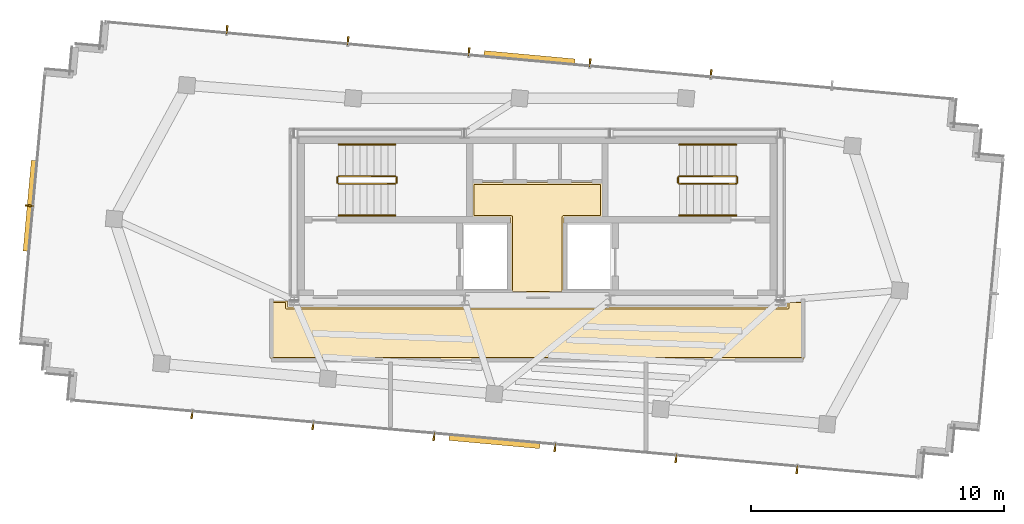
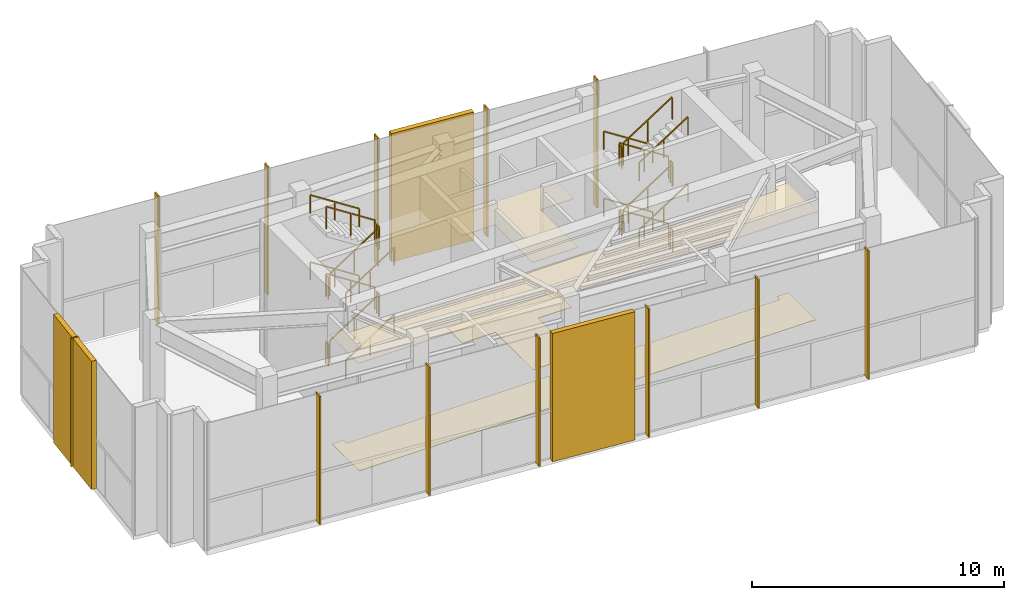
# One storey, part 18 of 19: 24 railings, 15 shading devices, 4 coverings.
"""IFC4 building model written with IfcOpenShell, lengths in metres."""

from ifc_helpers import new_model, si_unit, direction, frame, origin, origin_2d, place, context, subcontext, project, spatial, polyline, rectangle, outline, extrude, source, transform, mapped, material, layer, layer_set, type_object, type_shapes, element, save


model = new_model("IFC4")

# Units and contexts
model_context = context("Model", 3, precision=1e-05, world=origin(), true_north=direction((0.0, 1.0)))
body_context = subcontext(model_context, "Body", "Model", "MODEL_VIEW")
ifc_project = project(units=[si_unit("LENGTHUNIT", "METRE"), si_unit("AREAUNIT", "SQUARE_METRE"), si_unit("VOLUMEUNIT", "CUBIC_METRE"), si_unit("PLANEANGLEUNIT", "RADIAN"), si_unit("MASSUNIT", "GRAM", prefix="KILO")], contexts=[model_context])

# Site, building, storey
site_placement = place(None, origin())
site = spatial("IfcSite", under=ifc_project, at=site_placement, CompositionType="ELEMENT")
building_placement = place(site_placement, origin())
building = spatial("IfcBuilding", under=site, at=building_placement, Name="Astriad Promenade Condominiums", CompositionType="ELEMENT")
storey_placement = place(building_placement, frame((0.0, 0.0, 283.800048828125)))
storey = spatial("IfcBuildingStorey", under=building, at=storey_placement, Name="L79", CompositionType="ELEMENT", Elevation=283.800048828125)

# Coverings
ifc_material_1 = material(Name="Mineral-Fibre Acoustic Ceiling Tile")
ifc_layer_1 = layer(ifc_material_1, 0.02490234375)
ifc_layer_set_1 = layer_set([ifc_layer_1], Name="Mineral-Fibre Acoustic Ceiling Tile")
covering_type_1 = type_object("IfcCoveringType", Name="COV-CEIL-ACOUSTIC-25", PredefinedType="CEILING", material=ifc_layer_set_1)
covering_1_placement = place(storey_placement, frame((0.0, 0.0, 5.27490234375)))
element("IfcCovering", 1, at=covering_1_placement, inside=storey, type_object=covering_type_1, Name="CEIL-L79-CSL", PredefinedType="CEILING", context=body_context, shape_type="SweptSolid", body=[
    extrude(outline(polyline([(37.050048828125, 17.699951171875), (37.0498046875, 17.697021484375), (37.04931640625, 17.694091796875), (37.048583984375, 17.69140625), (37.047607421875, 17.6884765625), (37.04638671875, 17.685791015625), (37.044921875, 17.683349609375), (37.043212890625, 17.680908203125), (37.041259765625, 17.6787109375), (37.0390625, 17.6767578125), (37.03662109375, 17.675048828125), (37.0341796875, 17.673583984375), (37.031494140625, 17.67236328125), (37.02880859375, 17.67138671875), (37.02587890625, 17.670654296875), (37.02294921875, 17.670166015625), (37.02001953125, 17.669921875), (34.97998046875, 17.669921875), (34.97705078125, 17.670166015625), (34.97412109375, 17.670654296875), (34.97119140625, 17.67138671875), (34.968505859375, 17.67236328125), (34.9658203125, 17.673583984375), (34.96337890625, 17.675048828125), (34.9609375, 17.6767578125), (34.958740234375, 17.6787109375), (34.956787109375, 17.680908203125), (34.955078125, 17.683349609375), (34.95361328125, 17.685791015625), (34.952392578125, 17.6884765625), (34.951416015625, 17.69140625), (34.95068359375, 17.694091796875), (34.9501953125, 17.697021484375), (34.949951171875, 17.699951171875), (34.949951171875, 20.669921875), (33.4599609375, 20.669921875), (33.45703125, 20.670166015625), (33.4541015625, 20.670654296875), (33.451416015625, 20.67138671875), (33.448486328125, 20.67236328125), (33.44580078125, 20.673583984375), (33.443359375, 20.675048828125), (33.44091796875, 20.6767578125), (33.438720703125, 20.6787109375), (33.436767578125, 20.680908203125), (33.43505859375, 20.683349609375), (33.43359375, 20.685791015625), (33.432373046875, 20.6884765625), (33.431396484375, 20.69140625), (33.4306640625, 20.694091796875), (33.43017578125, 20.697021484375), (33.429931640625, 20.699951171875), (33.429931640625, 22.02001953125), (33.43017578125, 22.02294921875), (33.4306640625, 22.02587890625), (33.431396484375, 22.02880859375), (33.432373046875, 22.031494140625), (33.43359375, 22.0341796875), (33.43505859375, 22.03662109375), (33.436767578125, 22.0390625), (33.438720703125, 22.041259765625), (33.44091796875, 22.043212890625), (33.443359375, 22.044921875), (33.44580078125, 22.04638671875), (33.448486328125, 22.047607421875), (33.451416015625, 22.048583984375), (33.4541015625, 22.04931640625), (33.45703125, 22.0498046875), (33.4599609375, 22.050048828125), (38.5400390625, 22.050048828125), (38.54296875, 22.0498046875), (38.5458984375, 22.04931640625), (38.548583984375, 22.048583984375), (38.551513671875, 22.047607421875), (38.55419921875, 22.04638671875), (38.556640625, 22.044921875), (38.55908203125, 22.043212890625), (38.561279296875, 22.041259765625), (38.563232421875, 22.0390625), (38.56494140625, 22.03662109375), (38.56640625, 22.0341796875), (38.567626953125, 22.031494140625), (38.568603515625, 22.02880859375), (38.5693359375, 22.02587890625), (38.56982421875, 22.02294921875), (38.570068359375, 22.02001953125), (38.570068359375, 20.699951171875), (38.56982421875, 20.697021484375), (38.5693359375, 20.694091796875), (38.568603515625, 20.69140625), (38.567626953125, 20.6884765625), (38.56640625, 20.685791015625), (38.56494140625, 20.683349609375), (38.563232421875, 20.680908203125), (38.561279296875, 20.6787109375), (38.55908203125, 20.6767578125), (38.556640625, 20.675048828125), (38.55419921875, 20.673583984375), (38.551513671875, 20.67236328125), (38.548583984375, 20.67138671875), (38.5458984375, 20.670654296875), (38.54296875, 20.670166015625), (38.5400390625, 20.669921875), (37.050048828125, 20.669921875), (37.050048828125, 17.699951171875)])), origin(), (0.0, 0.0, 1.0), 0.025146484375),
])
covering_2_placement = place(storey_placement, frame((0.0, 0.0, 5.27490234375)))
element("IfcCovering", 2, at=covering_2_placement, inside=storey, type_object=covering_type_1, Name="CEIL-L79-COR", PredefinedType="CEILING", context=body_context, shape_type="SweptSolid", body=[
    extrude(outline(polyline([(26.1298828125, 17.1298828125), (45.8701171875, 17.1298828125), (45.8701171875, 17.35009765625), (45.8701171875, 17.352783203125), (45.87060546875, 17.35595703125), (45.871337890625, 17.358642578125), (45.872314453125, 17.361572265625), (45.87353515625, 17.364013671875), (45.875, 17.36669921875), (45.876708984375, 17.368896484375), (45.87890625, 17.37109375), (45.881103515625, 17.373291015625), (45.88330078125, 17.375), (45.885986328125, 17.37646484375), (45.888427734375, 17.377685546875), (45.891357421875, 17.378662109375), (45.89404296875, 17.37939453125), (45.897216796875, 17.3798828125), (45.89990234375, 17.3798828125), (46.5, 17.3798828125), (46.5029296875, 17.3798828125), (46.505859375, 17.37939453125), (46.5087890625, 17.378662109375), (46.511474609375, 17.377685546875), (46.51416015625, 17.37646484375), (46.5166015625, 17.375), (46.51904296875, 17.373291015625), (46.521240234375, 17.37109375), (46.523193359375, 17.368896484375), (46.52490234375, 17.36669921875), (46.526611328125, 17.364013671875), (46.527587890625, 17.361572265625), (46.52880859375, 17.358642578125), (46.529296875, 17.35595703125), (46.52978515625, 17.352783203125), (46.530029296875, 17.35009765625), (46.530029296875, 15.10009765625), (46.52978515625, 15.09716796875), (46.529296875, 15.093994140625), (46.52880859375, 15.09130859375), (46.527587890625, 15.08837890625), (46.526611328125, 15.0859375), (46.52490234375, 15.083251953125), (46.523193359375, 15.0810546875), (46.521240234375, 15.078857421875), (46.51904296875, 15.076904296875), (46.5166015625, 15.0751953125), (46.51416015625, 15.073486328125), (46.511474609375, 15.072265625), (46.5087890625, 15.0712890625), (46.505859375, 15.070556640625), (46.5029296875, 15.070068359375), (46.5, 15.070068359375), (25.5, 15.070068359375), (25.4970703125, 15.070068359375), (25.494140625, 15.070556640625), (25.4912109375, 15.0712890625), (25.488525390625, 15.072265625), (25.48583984375, 15.073486328125), (25.4833984375, 15.0751953125), (25.48095703125, 15.076904296875), (25.478759765625, 15.078857421875), (25.476806640625, 15.0810546875), (25.47509765625, 15.083251953125), (25.473388671875, 15.0859375), (25.472412109375, 15.08837890625), (25.47119140625, 15.09130859375), (25.470703125, 15.093994140625), (25.47021484375, 15.09716796875), (25.469970703125, 15.10009765625), (25.469970703125, 17.35009765625), (25.47021484375, 17.352783203125), (25.470703125, 17.35595703125), (25.47119140625, 17.358642578125), (25.472412109375, 17.361572265625), (25.473388671875, 17.364013671875), (25.47509765625, 17.36669921875), (25.476806640625, 17.368896484375), (25.478759765625, 17.37109375), (25.48095703125, 17.373291015625), (25.4833984375, 17.375), (25.48583984375, 17.37646484375), (25.488525390625, 17.377685546875), (25.4912109375, 17.378662109375), (25.494140625, 17.37939453125), (25.4970703125, 17.3798828125), (25.5, 17.3798828125), (26.10009765625, 17.3798828125), (26.102783203125, 17.3798828125), (26.10595703125, 17.37939453125), (26.108642578125, 17.378662109375), (26.111572265625, 17.377685546875), (26.114013671875, 17.37646484375), (26.11669921875, 17.375), (26.118896484375, 17.373291015625), (26.12109375, 17.37109375), (26.123291015625, 17.368896484375), (26.125, 17.36669921875), (26.12646484375, 17.364013671875), (26.127685546875, 17.361572265625), (26.128662109375, 17.358642578125), (26.12939453125, 17.35595703125), (26.1298828125, 17.352783203125), (26.1298828125, 17.35009765625), (26.1298828125, 17.1298828125)])), origin(), (0.0, 0.0, 1.0), 0.025146484375),
])
ifc_material_2 = material(Name="Polished Lakefront Terrazzo Flooring")
ifc_layer_2 = layer(ifc_material_2, 0.02001953125)
ifc_layer_set_2 = layer_set([ifc_layer_2], Name="Polished Lakefront Terrazzo Flooring")
covering_type_2 = type_object("IfcCoveringType", Name="COV-FLOR-TERRAZZO-20", PredefinedType="FLOORING", material=ifc_layer_set_2)
covering_3_placement = place(storey_placement, origin())
element("IfcCovering", 3, at=covering_3_placement, inside=storey, type_object=covering_type_2, Name="FLR-L79-CSL", PredefinedType="FLOORING", context=body_context, shape_type="SweptSolid", body=[
    extrude(outline(polyline([(36.97998046875, 20.699951171875), (36.97998046875, 17.739990234375), (35.02001953125, 17.739990234375), (35.02001953125, 20.699951171875), (35.019775390625, 20.703857421875), (35.019287109375, 20.707763671875), (35.018310546875, 20.711669921875), (35.01708984375, 20.71533203125), (35.015380859375, 20.718994140625), (35.01318359375, 20.72216796875), (35.010986328125, 20.725341796875), (35.00830078125, 20.728271484375), (35.00537109375, 20.73095703125), (35.002197265625, 20.7333984375), (34.998779296875, 20.7353515625), (34.995361328125, 20.737060546875), (34.99169921875, 20.73828125), (34.98779296875, 20.7392578125), (34.98388671875, 20.73974609375), (34.97998046875, 20.739990234375), (33.5, 20.739990234375), (33.5, 21.97998046875), (38.5, 21.97998046875), (38.5, 20.739990234375), (37.02001953125, 20.739990234375), (37.01611328125, 20.73974609375), (37.01220703125, 20.7392578125), (37.00830078125, 20.73828125), (37.004638671875, 20.737060546875), (37.001220703125, 20.7353515625), (36.997802734375, 20.7333984375), (36.99462890625, 20.73095703125), (36.99169921875, 20.728271484375), (36.989013671875, 20.725341796875), (36.98681640625, 20.72216796875), (36.984619140625, 20.718994140625), (36.98291015625, 20.71533203125), (36.981689453125, 20.711669921875), (36.980712890625, 20.707763671875), (36.980224609375, 20.703857421875), (36.97998046875, 20.699951171875)])), origin(), (0.0, 0.0, 1.0), 0.02001953125),
])
covering_4_placement = place(storey_placement, origin())
element("IfcCovering", 4, at=covering_4_placement, inside=storey, type_object=covering_type_2, Name="FLR-L79-COR", PredefinedType="FLOORING", context=body_context, shape_type="SweptSolid", body=[
    extrude(outline(polyline([(26.06005859375, 17.31005859375), (26.06005859375, 17.10009765625), (26.060302734375, 17.09619140625), (26.060791015625, 17.09228515625), (26.061767578125, 17.08837890625), (26.06298828125, 17.084716796875), (26.064697265625, 17.0810546875), (26.066650390625, 17.077880859375), (26.069091796875, 17.07470703125), (26.07177734375, 17.07177734375), (26.07470703125, 17.069091796875), (26.077880859375, 17.066650390625), (26.0810546875, 17.064697265625), (26.084716796875, 17.06298828125), (26.08837890625, 17.061767578125), (26.09228515625, 17.060791015625), (26.09619140625, 17.060302734375), (26.10009765625, 17.06005859375), (45.89990234375, 17.06005859375), (45.90380859375, 17.060302734375), (45.90771484375, 17.060791015625), (45.91162109375, 17.061767578125), (45.915283203125, 17.06298828125), (45.9189453125, 17.064697265625), (45.922119140625, 17.066650390625), (45.92529296875, 17.069091796875), (45.92822265625, 17.07177734375), (45.930908203125, 17.07470703125), (45.933349609375, 17.077880859375), (45.935302734375, 17.0810546875), (45.93701171875, 17.084716796875), (45.938232421875, 17.08837890625), (45.939208984375, 17.09228515625), (45.939697265625, 17.09619140625), (45.93994140625, 17.10009765625), (45.93994140625, 17.31005859375), (46.4599609375, 17.31005859375), (46.4599609375, 15.139892578125), (25.5400390625, 15.139892578125), (25.5400390625, 17.31005859375), (26.06005859375, 17.31005859375)])), origin(), (0.0, 0.0, 1.0), 0.02001953125),
])

# Shading devices
ifc_material_3 = material(Name="Anodised aluminium 6063-T6 Black Fin", Category="aluminium")
shading_device_type_1 = type_object("IfcShadingDeviceType", Name="FIN-BLACK-260", PredefinedType="USERDEFINED", material=ifc_material_3)
shared_shape_1 = source(origin(), body_context, "Body", "SweptSolid", [
    extrude(rectangle(XDim=0.06494140625, YDim=0.320068359375, at=origin_2d()), origin(), (0.0, 0.0, 1.0), 6.219970703125),
])
type_shapes(shading_device_type_1, [shared_shape_1])
for number, where, z_axis, x_axis, name in (
    (5, (15.938720703125, 21.134765625, 0.0), (0.0, 0.0, 1.0), (0.090632580198, 0.995884398616, 0.0), "CW-CRN-L79-03-FIN-01"),
    (6, (23.74169921875, 28.09619140625, 0.0), (0.0, 0.0, 1.0), (0.995884398616, -0.090632580198, 0.0), "CW-CRN-L79-08-FIN-01"),
    (7, (28.522216796875, 27.6611328125, 0.0), (0.0, 0.0, 1.0), (0.995884398616, -0.090632580198, 0.0), "CW-CRN-L79-08-FIN-02"),
    (8, (33.30224609375, 27.22607421875, 0.0), (0.0, 0.0, 1.0), (0.995884398616, -0.090632580198, 0.0), "CW-CRN-L79-08-FIN-03"),
    (9, (38.08251953125, 26.791015625, 0.0), (0.0, 0.0, 1.0), (0.995884398616, -0.090632580198, 0.0), "CW-CRN-L79-08-FIN-04"),
    (10, (42.86279296875, 26.35595703125, 0.0), (0.0, 0.0, 1.0), (0.995884398616, -0.090632580198, 0.0), "CW-CRN-L79-08-FIN-05"),
    (11, (46.25830078125, 10.703857421875, 0.0), (0.0, 0.0, 1.0), (-0.995884398616, 0.090632580198, 0.0), "CW-CRN-L79-18-FIN-01"),
    (12, (41.477783203125, 11.138916015625, 0.0), (0.0, 0.0, 1.0), (-0.995884398616, 0.090632580198, 0.0), "CW-CRN-L79-18-FIN-02"),
    (13, (36.69775390625, 11.573974609375, 0.0), (0.0, 0.0, 1.0), (-0.995884398616, 0.090632580198, 0.0), "CW-CRN-L79-18-FIN-03"),
    (14, (31.91748046875, 12.009033203125, 0.0), (0.0, 0.0, 1.0), (-0.995884398616, 0.090632580198, 0.0), "CW-CRN-L79-18-FIN-04"),
    (15, (27.13720703125, 12.444091796875, 0.0), (0.0, 0.0, 1.0), (-0.995884398616, 0.090632580198, 0.0), "CW-CRN-L79-18-FIN-05"),
    (16, (22.35693359375, 12.879150390625, 0.0), (0.0, 0.0, 1.0), (-0.995884398616, 0.090632580198, 0.0), "CW-CRN-L79-18-FIN-06"),
):
    element("IfcShadingDevice", number, at=place(storey_placement, frame(where, z_axis=z_axis, x_axis=x_axis)), inside=storey, type_object=shading_device_type_1, Name=name, ObjectType="FIN", PredefinedType="USERDEFINED", context=body_context, shape_type="MappedRepresentation", body=[
        mapped(shared_shape_1, transform((0.0, 0.0, 0.0), scale=1.0)),
    ])
ifc_material_4 = material(Name="Anodised aluminium 6063-T6 Black Louvre", Category="aluminium")
shading_device_type_2 = type_object("IfcShadingDeviceType", Name="LOUVRE-ACOUSTIC-220", PredefinedType="JALOUSIE", material=ifc_material_4)
shared_shape_2 = source(origin(), body_context, "Body", "SweptSolid", [
    extrude(rectangle(XDim=3.60009765625, YDim=0.219970703125, at=origin_2d()), origin(), (0.0, 0.0, 1.0), 6.219970703125),
])
type_shapes(shading_device_type_2, [shared_shape_2])
for number, where, z_axis, x_axis, name in (
    (17, (15.958740234375, 21.1328125, 0.0), (0.0, 0.0, 1.0), (0.090632580198, 0.995884398616, 0.0), "LVR-CRN-L79-03"),
    (18, (35.690673828125, 26.988525390625, 0.0), (0.0, 0.0, 1.0), (0.995884398616, -0.090632580198, 0.0), "LVR-CRN-L79-08"),
    (19, (34.309326171875, 11.811279296875, 0.0), (0.0, 0.0, 1.0), (-0.995884398616, 0.090632580198, 0.0), "LVR-CRN-L79-18"),
):
    element("IfcShadingDevice", number, at=place(storey_placement, frame(where, z_axis=z_axis, x_axis=x_axis)), inside=storey, type_object=shading_device_type_2, Name=name, PredefinedType="JALOUSIE", context=body_context, shape_type="MappedRepresentation", body=[
        mapped(shared_shape_2, transform((0.0, 0.0, 0.0), scale=1.0)),
    ])

# Railings
ifc_material_5 = material(Name="Painted Galvanised Steel Guardrail", Category="steel")
railing_type_1 = type_object("IfcRailingType", Name="GRD-STAIR-1100", PredefinedType="GUARDRAIL", material=ifc_material_5)
shared_shape_3 = source(origin(), body_context, "Body", "SweptSolid", [
    extrude(rectangle(XDim=0.048095703125, YDim=0.048095703125, at=origin_2d()), frame((0.0, 0.0, 1.076171875), z_axis=(0.0, 1.0, 0.0), x_axis=(-1.0, 0.0, 0.0)), (0.0, 0.0, 1.0), 0.199951171875),
    extrude(rectangle(XDim=0.0419921875, YDim=0.0419921875, at=origin_2d()), origin(), (0.0, 0.0, 1.0), 1.052001953125),
    extrude(rectangle(XDim=0.0419921875, YDim=0.0419921875, at=origin_2d()), frame((0.0, 0.199951171875, 0.0)), (0.0, 0.0, 1.0), 1.052001953125),
])
for number, where, name in (
    (20, (30.43994140625, 22.050048828125, 1.625), "L79 ST-1 stair guard 2"),
    (21, (28.10009765625, 22.050048828125, 3.25), "L79 ST-1 stair guard 4"),
    (22, (30.43994140625, 22.050048828125, 4.875), "L79 ST-1 stair guard 6"),
    (23, (28.10009765625, 22.050048828125, 0.0), "L79 ST-1 stair guard 8"),
):
    element("IfcRailing", number, at=place(storey_placement, frame(where)), inside=storey, type_object=railing_type_1, Name=name, PredefinedType="GUARDRAIL", context=body_context, shape_type="MappedRepresentation", body=[
        mapped(shared_shape_3, transform((0.0, 0.0, 0.0), scale=1.0)),
    ])
shared_shape_4 = source(origin(), body_context, "Body", "SweptSolid", [
    extrude(rectangle(XDim=0.048095703125, YDim=0.048095703125, at=origin_2d()), frame((0.0, 0.0, 1.076171875), z_axis=(0.840394893359, 0.0, 0.541974559565), x_axis=(0.0, 1.0, 0.0)), (0.0, 0.0, 1.0), 2.665283203125),
    extrude(rectangle(XDim=0.0419921875, YDim=0.0419921875, at=origin_2d()), origin(), (0.0, 0.0, 1.0), 1.052001953125),
    extrude(rectangle(XDim=0.0419921875, YDim=0.0419921875, at=origin_2d()), frame((1.1201171875, 0.0, 0.72216796875)), (0.0, 0.0, 1.0), 1.052001953125),
    extrude(rectangle(XDim=0.0419921875, YDim=0.0419921875, at=origin_2d()), frame((2.239990234375, 0.0, 1.444580078125)), (0.0, 0.0, 1.0), 1.052001953125),
])
for number, where, name in (
    (24, (28.14990234375, 22.0, 0.180419921875), "L79 ST-1 stair guard 1"),
    (25, (28.14990234375, 22.0, 3.430419921875), "L79 ST-1 stair guard 5"),
    (26, (41.610107421875, 22.0, 1.805419921875), "L79 ST-2 stair guard 3"),
    (27, (41.610107421875, 22.0, 5.055419921875), "L79 ST-2 stair guard 7"),
):
    element("IfcRailing", number, at=place(storey_placement, frame(where)), inside=storey, type_object=railing_type_1, Name=name, PredefinedType="GUARDRAIL", context=body_context, shape_type="MappedRepresentation", body=[
        mapped(shared_shape_4, transform((0.0, 0.0, 0.0), scale=1.0)),
    ])
shared_shape_5 = source(origin(), body_context, "Body", "SweptSolid", [
    extrude(rectangle(XDim=0.048095703125, YDim=0.048095703125, at=origin_2d()), frame((0.0, 0.0, 1.076171875), z_axis=(-0.840394893359, 0.0, 0.541974559565), x_axis=(0.0, -1.0, 0.0)), (0.0, 0.0, 1.0), 2.665283203125),
    extrude(rectangle(XDim=0.0419921875, YDim=0.0419921875, at=origin_2d()), origin(), (0.0, 0.0, 1.0), 1.052001953125),
    extrude(rectangle(XDim=0.0419921875, YDim=0.0419921875, at=origin_2d()), frame((-1.1201171875, 0.0, 0.72216796875)), (0.0, 0.0, 1.0), 1.052001953125),
    extrude(rectangle(XDim=0.0419921875, YDim=0.0419921875, at=origin_2d()), frame((-2.239990234375, 0.0, 1.444580078125)), (0.0, 0.0, 1.0), 1.052001953125),
])
for number, where, name in (
    (28, (30.389892578125, 22.300048828125, 1.805419921875), "L79 ST-1 stair guard 3"),
    (29, (30.389892578125, 22.300048828125, 5.055419921875), "L79 ST-1 stair guard 7"),
    (30, (43.85009765625, 22.300048828125, 0.180419921875), "L79 ST-2 stair guard 1"),
    (31, (43.85009765625, 22.300048828125, 3.430419921875), "L79 ST-2 stair guard 5"),
):
    element("IfcRailing", number, at=place(storey_placement, frame(where)), inside=storey, type_object=railing_type_1, Name=name, PredefinedType="GUARDRAIL", context=body_context, shape_type="MappedRepresentation", body=[
        mapped(shared_shape_5, transform((0.0, 0.0, 0.0), scale=1.0)),
    ])
ifc_material_6 = material(Name="Brushed Stainless Steel Handrail", Category="steel")
railing_type_2 = type_object("IfcRailingType", Name="HRL-STAIR-920", PredefinedType="HANDRAIL", material=ifc_material_6)
shared_shape_6 = source(origin(), body_context, "Body", "SweptSolid", [
    extrude(rectangle(XDim=0.048095703125, YDim=0.048095703125, at=origin_2d()), frame((0.0, 0.0, 0.8759765625), z_axis=(0.840394893359, 0.0, 0.541974559565), x_axis=(0.0, 1.0, 0.0)), (0.0, 0.0, 1.0), 2.665283203125),
    extrude(rectangle(XDim=0.0419921875, YDim=0.0419921875, at=origin_2d()), origin(), (0.0, 0.0, 1.0), 0.851806640625),
    extrude(rectangle(XDim=0.0419921875, YDim=0.0419921875, at=origin_2d()), frame((1.1201171875, 0.0, 0.72216796875)), (0.0, 0.0, 1.0), 0.851806640625),
    extrude(rectangle(XDim=0.0419921875, YDim=0.0419921875, at=origin_2d()), frame((2.239990234375, 0.0, 1.444580078125)), (0.0, 0.0, 1.0), 0.851806640625),
])
for number, where, name in (
    (32, (28.14990234375, 20.75, 0.180419921875), "L79 ST-1 stair handrail 1"),
    (33, (28.14990234375, 20.75, 3.430419921875), "L79 ST-1 stair handrail 3"),
    (34, (41.610107421875, 20.75, 1.805419921875), "L79 ST-2 stair handrail 2"),
    (35, (41.610107421875, 20.75, 5.055419921875), "L79 ST-2 stair handrail 4"),
):
    element("IfcRailing", number, at=place(storey_placement, frame(where)), inside=storey, type_object=railing_type_2, Name=name, PredefinedType="HANDRAIL", context=body_context, shape_type="MappedRepresentation", body=[
        mapped(shared_shape_6, transform((0.0, 0.0, 0.0), scale=1.0)),
    ])
shared_shape_7 = source(origin(), body_context, "Body", "SweptSolid", [
    extrude(rectangle(XDim=0.048095703125, YDim=0.048095703125, at=origin_2d()), frame((0.0, 0.0, 0.8759765625), z_axis=(-0.840394893359, 0.0, 0.541974559565), x_axis=(0.0, -1.0, 0.0)), (0.0, 0.0, 1.0), 2.665283203125),
    extrude(rectangle(XDim=0.0419921875, YDim=0.0419921875, at=origin_2d()), origin(), (0.0, 0.0, 1.0), 0.851806640625),
    extrude(rectangle(XDim=0.0419921875, YDim=0.0419921875, at=origin_2d()), frame((-1.1201171875, 0.0, 0.72216796875)), (0.0, 0.0, 1.0), 0.851806640625),
    extrude(rectangle(XDim=0.0419921875, YDim=0.0419921875, at=origin_2d()), frame((-2.239990234375, 0.0, 1.444580078125)), (0.0, 0.0, 1.0), 0.851806640625),
])
type_shapes(railing_type_2, [shared_shape_6, shared_shape_7])
for number, where, name in (
    (36, (30.389892578125, 23.550048828125, 1.805419921875), "L79 ST-1 stair handrail 2"),
    (37, (30.389892578125, 23.550048828125, 5.055419921875), "L79 ST-1 stair handrail 4"),
    (38, (43.85009765625, 23.550048828125, 0.180419921875), "L79 ST-2 stair handrail 1"),
    (39, (43.85009765625, 23.550048828125, 3.430419921875), "L79 ST-2 stair handrail 3"),
):
    element("IfcRailing", number, at=place(storey_placement, frame(where)), inside=storey, type_object=railing_type_2, Name=name, PredefinedType="HANDRAIL", context=body_context, shape_type="MappedRepresentation", body=[
        mapped(shared_shape_7, transform((0.0, 0.0, 0.0), scale=1.0)),
    ])
shared_shape_8 = source(origin(), body_context, "Body", "SweptSolid", [
    extrude(rectangle(XDim=0.048095703125, YDim=0.048095703125, at=origin_2d()), frame((0.0, 0.0, 1.076171875), z_axis=(0.0, -1.0, 0.0), x_axis=(1.0, 0.0, 0.0)), (0.0, 0.0, 1.0), 0.199951171875),
    extrude(rectangle(XDim=0.0419921875, YDim=0.0419921875, at=origin_2d()), origin(), (0.0, 0.0, 1.0), 1.052001953125),
    extrude(rectangle(XDim=0.0419921875, YDim=0.0419921875, at=origin_2d()), frame((0.0, -0.199951171875, 0.0)), (0.0, 0.0, 1.0), 1.052001953125),
])
type_shapes(railing_type_1, [shared_shape_3, shared_shape_4, shared_shape_5, shared_shape_8])
for number, where, name in (
    (40, (41.56005859375, 22.25, 1.625), "L79 ST-2 stair guard 2"),
    (41, (43.89990234375, 22.25, 3.25), "L79 ST-2 stair guard 4"),
    (42, (41.56005859375, 22.25, 4.875), "L79 ST-2 stair guard 6"),
    (43, (43.89990234375, 22.25, 0.0), "L79 ST-2 stair guard 8"),
):
    element("IfcRailing", number, at=place(storey_placement, frame(where)), inside=storey, type_object=railing_type_1, Name=name, PredefinedType="GUARDRAIL", context=body_context, shape_type="MappedRepresentation", body=[
        mapped(shared_shape_8, transform((0.0, 0.0, 0.0), scale=1.0)),
    ])

save(model, "model.ifc")
